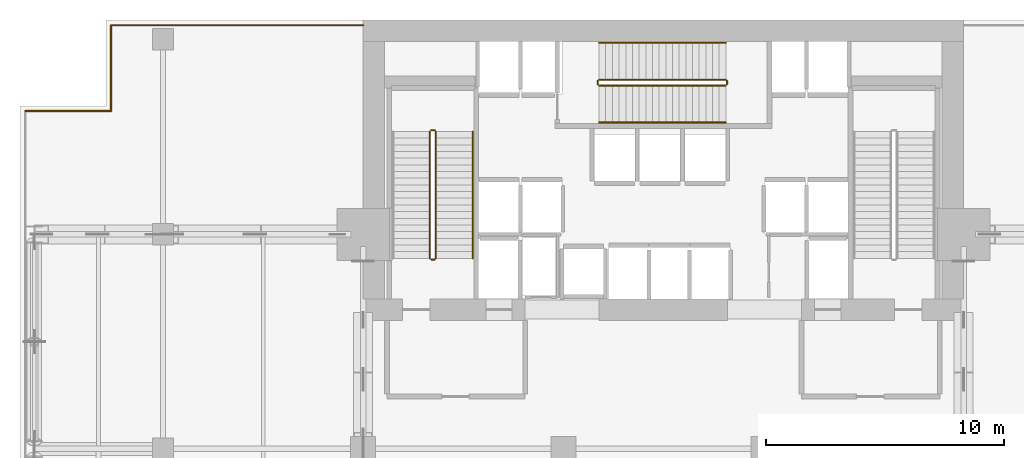
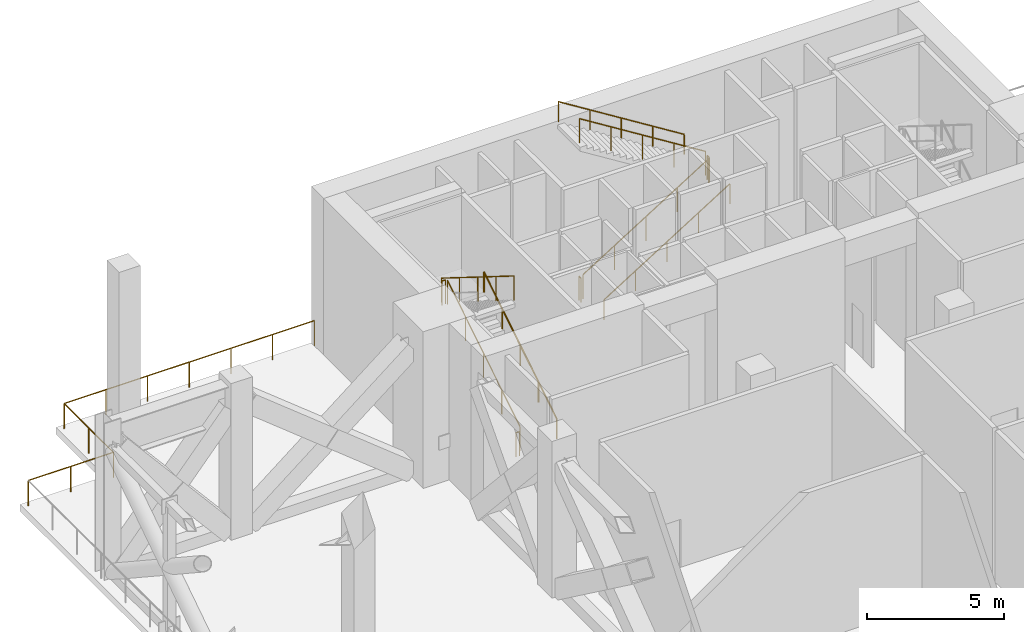
# One storey, part 15 of 16: 14 railings.
"""IFC4 building model written with IfcOpenShell, lengths in metres."""

from ifc_helpers import new_model, si_unit, direction, frame, origin, origin_2d, place, context, subcontext, project, spatial, circle, extrude, material, type_object, element, save


model = new_model("IFC4")

# Units and contexts
model_context = context("Model", 3, precision=1e-05, world=origin(), true_north=direction((0.0, 1.0)))
body_context = subcontext(model_context, "Body", "Model", "MODEL_VIEW")
ifc_project = project(units=[si_unit("LENGTHUNIT", "METRE"), si_unit("AREAUNIT", "SQUARE_METRE"), si_unit("VOLUMEUNIT", "CUBIC_METRE"), si_unit("PLANEANGLEUNIT", "RADIAN"), si_unit("MASSUNIT", "GRAM", prefix="KILO")], contexts=[model_context])

# Site, building, storey
site_placement = place(None, origin())
site = spatial("IfcSite", under=ifc_project, at=site_placement, CompositionType="ELEMENT")
building_placement = place(site_placement, origin())
building = spatial("IfcBuilding", under=site, at=building_placement, Name="Maruvema Waterfront Hotel and Observation Tower", CompositionType="ELEMENT")
storey_placement = place(building_placement, frame((0.0, 0.0, 115.5)))
storey = spatial("IfcBuildingStorey", under=building, at=storey_placement, Name="L28", CompositionType="ELEMENT", Elevation=115.5)

# Railings
ifc_material_1 = material(Name="Brushed stainless steel Grade 316", Category="steel")
railing_type_1 = type_object("IfcRailingType", Name="Ramp Continuous Wall Handrail 920 mm", PredefinedType="HANDRAIL", material=ifc_material_1)
railing_1_placement = place(storey_placement, frame((29.800048828125, 44.0, 0.175048828125)))
element("IfcRailing", 1, at=railing_1_placement, inside=storey, type_object=railing_type_1, Name="L28 ST-01 stair handrail 1", PredefinedType="HANDRAIL", context=body_context, shape_type="SweptSolid", body=[
    extrude(circle(Radius=0.02392578125, at=origin_2d()), frame((0.0, 0.0, 0.89599609375), z_axis=(0.0, 0.848004862711, 0.52998844593), x_axis=(-1.0, 0.0, 0.0)), (0.0, 0.0, 1.0), 6.273681640625),
    extrude(circle(Radius=0.02099609375, at=origin_2d()), origin(), (0.0, 0.0, 1.0), 0.871826171875),
    extrude(circle(Radius=0.02099609375, at=origin_2d()), frame((0.0, 1.330078125, 0.831298828125)), (0.0, 0.0, 1.0), 0.871826171875),
    extrude(circle(Radius=0.02099609375, at=origin_2d()), frame((0.0, 2.66015625, 1.66259765625)), (0.0, 0.0, 1.0), 0.871826171875),
    extrude(circle(Radius=0.02099609375, at=origin_2d()), frame((0.0, 3.989990234375, 2.49365234375)), (0.0, 0.0, 1.0), 0.871826171875),
    extrude(circle(Radius=0.02099609375, at=origin_2d()), frame((0.0, 5.320068359375, 3.324951171875)), (0.0, 0.0, 1.0), 0.871826171875),
])
railing_2_placement = place(storey_placement, frame((35.10009765625, 49.699951171875, 0.175048828125)))
element("IfcRailing", 2, at=railing_2_placement, inside=storey, type_object=railing_type_1, Name="L28 ST-02 stair handrail 1", PredefinedType="HANDRAIL", context=body_context, shape_type="SweptSolid", body=[
    extrude(circle(Radius=0.02392578125, at=origin_2d()), frame((0.0, 0.0, 0.89599609375), z_axis=(0.847993931318, 0.0, 0.530005936238), x_axis=(0.0, 1.0, 0.0)), (0.0, 0.0, 1.0), 6.2734375),
    extrude(circle(Radius=0.02099609375, at=origin_2d()), origin(), (0.0, 0.0, 1.0), 0.871826171875),
    extrude(circle(Radius=0.02099609375, at=origin_2d()), frame((1.330078125, 0.0, 0.831298828125)), (0.0, 0.0, 1.0), 0.871826171875),
    extrude(circle(Radius=0.02099609375, at=origin_2d()), frame((2.659912109375, 0.0, 1.66259765625)), (0.0, 0.0, 1.0), 0.871826171875),
    extrude(circle(Radius=0.02099609375, at=origin_2d()), frame((3.98974609375, 0.0, 2.49365234375)), (0.0, 0.0, 1.0), 0.871826171875),
    extrude(circle(Radius=0.02099609375, at=origin_2d()), frame((5.31982421875, 0.0, 3.324951171875)), (0.0, 0.0, 1.0), 0.871826171875),
])
railing_3_placement = place(storey_placement, frame((40.419921875, 53.050048828125, 3.675048828125)))
element("IfcRailing", 3, at=railing_3_placement, inside=storey, type_object=railing_type_1, Name="L28 ST-02 stair handrail 2", PredefinedType="HANDRAIL", context=body_context, shape_type="SweptSolid", body=[
    extrude(circle(Radius=0.02392578125, at=origin_2d()), frame((0.0, 0.0, 0.89599609375), z_axis=(-0.847993931318, 0.0, 0.530005936238), x_axis=(0.0, -1.0, 0.0)), (0.0, 0.0, 1.0), 6.2734375),
    extrude(circle(Radius=0.02099609375, at=origin_2d()), origin(), (0.0, 0.0, 1.0), 0.871826171875),
    extrude(circle(Radius=0.02099609375, at=origin_2d()), frame((-1.330078125, 0.0, 0.831298828125)), (0.0, 0.0, 1.0), 0.871826171875),
    extrude(circle(Radius=0.02099609375, at=origin_2d()), frame((-2.659912109375, 0.0, 1.66259765625)), (0.0, 0.0, 1.0), 0.871826171875),
    extrude(circle(Radius=0.02099609375, at=origin_2d()), frame((-3.98974609375, 0.0, 2.49365234375)), (0.0, 0.0, 1.0), 0.871826171875),
    extrude(circle(Radius=0.02099609375, at=origin_2d()), frame((-5.31982421875, 0.0, 3.324951171875)), (0.0, 0.0, 1.0), 0.871826171875),
])
ifc_material_2 = material(Name="Brushed stainless steel Grade 316", Category="steel")
railing_type_2 = type_object("IfcRailingType", Name="Ramp and Terrace Guard Balustrade 1100 mm", PredefinedType="BALUSTRADE", material=ifc_material_2)
railing_4_placement = place(storey_placement, frame((28.25, 44.0, 0.175048828125)))
element("IfcRailing", 4, at=railing_4_placement, inside=storey, type_object=railing_type_2, Name="L28 ST-01 stair guard 1", PredefinedType="BALUSTRADE", context=body_context, shape_type="SweptSolid", body=[
    extrude(circle(Radius=0.02392578125, at=origin_2d()), frame((0.0, 0.0, 1.076171875), z_axis=(0.0, 0.848004862711, 0.52998844593), x_axis=(-1.0, 0.0, 0.0)), (0.0, 0.0, 1.0), 6.273681640625),
    extrude(circle(Radius=0.02099609375, at=origin_2d()), origin(), (0.0, 0.0, 1.0), 1.052001953125),
    extrude(circle(Radius=0.02099609375, at=origin_2d()), frame((0.0, 1.330078125, 0.831298828125)), (0.0, 0.0, 1.0), 1.052001953125),
    extrude(circle(Radius=0.02099609375, at=origin_2d()), frame((0.0, 2.66015625, 1.66259765625)), (0.0, 0.0, 1.0), 1.052001953125),
    extrude(circle(Radius=0.02099609375, at=origin_2d()), frame((0.0, 3.989990234375, 2.49365234375)), (0.0, 0.0, 1.0), 1.052001953125),
    extrude(circle(Radius=0.02099609375, at=origin_2d()), frame((0.0, 5.320068359375, 3.324951171875)), (0.0, 0.0, 1.0), 1.052001953125),
])
railing_5_placement = place(storey_placement, frame((28.199951171875, 49.3701171875, 3.5)))
element("IfcRailing", 5, at=railing_5_placement, inside=storey, type_object=railing_type_2, Name="L28 ST-01 stair guard 2", PredefinedType="BALUSTRADE", context=body_context, shape_type="SweptSolid", body=[
    extrude(circle(Radius=0.02392578125, at=origin_2d()), frame((0.0, 0.0, 1.076171875), z_axis=(-1.0, 0.0, 0.0), x_axis=(0.0, -1.0, 0.0)), (0.0, 0.0, 1.0), 0.14990234375),
    extrude(circle(Radius=0.02099609375, at=origin_2d()), origin(), (0.0, 0.0, 1.0), 1.052001953125),
    extrude(circle(Radius=0.02099609375, at=origin_2d()), frame((-0.14990234375, 0.0, 0.0)), (0.0, 0.0, 1.0), 1.052001953125),
])
railing_6_placement = place(storey_placement, frame((28.0, 49.320068359375, 3.675048828125)))
element("IfcRailing", 6, at=railing_6_placement, inside=storey, type_object=railing_type_2, Name="L28 ST-01 stair guard 3", PredefinedType="BALUSTRADE", context=body_context, shape_type="SweptSolid", body=[
    extrude(circle(Radius=0.02392578125, at=origin_2d()), frame((0.0, 0.0, 1.076171875), z_axis=(0.0, -0.848004862711, 0.52998844593), x_axis=(1.0, 0.0, 0.0)), (0.0, 0.0, 1.0), 6.273681640625),
    extrude(circle(Radius=0.02099609375, at=origin_2d()), origin(), (0.0, 0.0, 1.0), 1.052001953125),
    extrude(circle(Radius=0.02099609375, at=origin_2d()), frame((0.0, -1.330078125, 0.831298828125)), (0.0, 0.0, 1.0), 1.052001953125),
    extrude(circle(Radius=0.02099609375, at=origin_2d()), frame((0.0, -2.66015625, 1.66259765625)), (0.0, 0.0, 1.0), 1.052001953125),
    extrude(circle(Radius=0.02099609375, at=origin_2d()), frame((0.0, -3.989990234375, 2.49365234375)), (0.0, 0.0, 1.0), 1.052001953125),
    extrude(circle(Radius=0.02099609375, at=origin_2d()), frame((0.0, -5.320068359375, 3.324951171875)), (0.0, 0.0, 1.0), 1.052001953125),
])
railing_7_placement = place(storey_placement, frame((28.199951171875, 43.949951171875, 0.0)))
element("IfcRailing", 7, at=railing_7_placement, inside=storey, type_object=railing_type_2, Name="L28 ST-01 stair guard 4", PredefinedType="BALUSTRADE", context=body_context, shape_type="SweptSolid", body=[
    extrude(circle(Radius=0.02392578125, at=origin_2d()), frame((0.0, 0.0, 1.076171875), z_axis=(-1.0, 0.0, 0.0), x_axis=(0.0, -1.0, 0.0)), (0.0, 0.0, 1.0), 0.14990234375),
    extrude(circle(Radius=0.02099609375, at=origin_2d()), origin(), (0.0, 0.0, 1.0), 1.052001953125),
    extrude(circle(Radius=0.02099609375, at=origin_2d()), frame((-0.14990234375, 0.0, 0.0)), (0.0, 0.0, 1.0), 1.052001953125),
])
railing_8_placement = place(storey_placement, frame((35.10009765625, 51.25, 0.175048828125)))
element("IfcRailing", 8, at=railing_8_placement, inside=storey, type_object=railing_type_2, Name="L28 ST-02 stair guard 1", PredefinedType="BALUSTRADE", context=body_context, shape_type="SweptSolid", body=[
    extrude(circle(Radius=0.02392578125, at=origin_2d()), frame((0.0, 0.0, 1.076171875), z_axis=(0.847993931318, 0.0, 0.530005936238), x_axis=(0.0, 1.0, 0.0)), (0.0, 0.0, 1.0), 6.2734375),
    extrude(circle(Radius=0.02099609375, at=origin_2d()), origin(), (0.0, 0.0, 1.0), 1.052001953125),
    extrude(circle(Radius=0.02099609375, at=origin_2d()), frame((1.330078125, 0.0, 0.831298828125)), (0.0, 0.0, 1.0), 1.052001953125),
    extrude(circle(Radius=0.02099609375, at=origin_2d()), frame((2.659912109375, 0.0, 1.66259765625)), (0.0, 0.0, 1.0), 1.052001953125),
    extrude(circle(Radius=0.02099609375, at=origin_2d()), frame((3.98974609375, 0.0, 2.49365234375)), (0.0, 0.0, 1.0), 1.052001953125),
    extrude(circle(Radius=0.02099609375, at=origin_2d()), frame((5.31982421875, 0.0, 3.324951171875)), (0.0, 0.0, 1.0), 1.052001953125),
])
railing_9_placement = place(storey_placement, frame((40.469970703125, 51.300048828125, 3.5)))
element("IfcRailing", 9, at=railing_9_placement, inside=storey, type_object=railing_type_2, Name="L28 ST-02 stair guard 2", PredefinedType="BALUSTRADE", context=body_context, shape_type="SweptSolid", body=[
    extrude(circle(Radius=0.02392578125, at=origin_2d()), frame((0.0, 0.0, 1.076171875), z_axis=(0.0, 1.0, 0.0), x_axis=(-1.0, 0.0, 0.0)), (0.0, 0.0, 1.0), 0.14990234375),
    extrude(circle(Radius=0.02099609375, at=origin_2d()), origin(), (0.0, 0.0, 1.0), 1.052001953125),
    extrude(circle(Radius=0.02099609375, at=origin_2d()), frame((0.0, 0.14990234375, 0.0)), (0.0, 0.0, 1.0), 1.052001953125),
])
railing_10_placement = place(storey_placement, frame((40.419921875, 51.5, 3.675048828125)))
element("IfcRailing", 10, at=railing_10_placement, inside=storey, type_object=railing_type_2, Name="L28 ST-02 stair guard 3", PredefinedType="BALUSTRADE", context=body_context, shape_type="SweptSolid", body=[
    extrude(circle(Radius=0.02392578125, at=origin_2d()), frame((0.0, 0.0, 1.076171875), z_axis=(-0.847993931318, 0.0, 0.530005936238), x_axis=(0.0, -1.0, 0.0)), (0.0, 0.0, 1.0), 6.2734375),
    extrude(circle(Radius=0.02099609375, at=origin_2d()), origin(), (0.0, 0.0, 1.0), 1.052001953125),
    extrude(circle(Radius=0.02099609375, at=origin_2d()), frame((-1.330078125, 0.0, 0.831298828125)), (0.0, 0.0, 1.0), 1.052001953125),
    extrude(circle(Radius=0.02099609375, at=origin_2d()), frame((-2.659912109375, 0.0, 1.66259765625)), (0.0, 0.0, 1.0), 1.052001953125),
    extrude(circle(Radius=0.02099609375, at=origin_2d()), frame((-3.98974609375, 0.0, 2.49365234375)), (0.0, 0.0, 1.0), 1.052001953125),
    extrude(circle(Radius=0.02099609375, at=origin_2d()), frame((-5.31982421875, 0.0, 3.324951171875)), (0.0, 0.0, 1.0), 1.052001953125),
])
railing_11_placement = place(storey_placement, frame((35.050048828125, 51.300048828125, 0.0)))
element("IfcRailing", 11, at=railing_11_placement, inside=storey, type_object=railing_type_2, Name="L28 ST-02 stair guard 4", PredefinedType="BALUSTRADE", context=body_context, shape_type="SweptSolid", body=[
    extrude(circle(Radius=0.02392578125, at=origin_2d()), frame((0.0, 0.0, 1.076171875), z_axis=(0.0, 1.0, 0.0), x_axis=(-1.0, 0.0, 0.0)), (0.0, 0.0, 1.0), 0.14990234375),
    extrude(circle(Radius=0.02099609375, at=origin_2d()), origin(), (0.0, 0.0, 1.0), 1.052001953125),
    extrude(circle(Radius=0.02099609375, at=origin_2d()), frame((0.0, 0.14990234375, 0.0)), (0.0, 0.0, 1.0), 1.052001953125),
])
ifc_material_3 = material(Name="Duplex stainless steel Grade 2205 and laminated glass", Category="steel")
railing_type_3 = type_object("IfcRailingType", Name="Wind-Floor Open Deck Safety Balustrade 1150 mm", PredefinedType="BALUSTRADE", material=ifc_material_3)
railing_12_placement = place(storey_placement, frame((11.02001953125, 50.179931640625, 0.0)))
element("IfcRailing", 12, at=railing_12_placement, inside=storey, type_object=railing_type_3, Name="L28 Perimeter Safety Balustrade 4", PredefinedType="BALUSTRADE", context=body_context, shape_type="SweptSolid", body=[
    extrude(circle(Radius=0.02392578125, at=origin_2d()), frame((0.0, 0.0, 1.1259765625), z_axis=(1.0, 0.0, 0.0), x_axis=(0.0, 1.0, 0.0)), (0.0, 0.0, 1.0), 3.60009765625),
    extrude(circle(Radius=0.02099609375, at=origin_2d()), origin(), (0.0, 0.0, 1.0), 1.101806640625),
    extrude(circle(Radius=0.02099609375, at=origin_2d()), frame((1.800048828125, 0.0, 0.0)), (0.0, 0.0, 1.0), 1.101806640625),
    extrude(circle(Radius=0.02099609375, at=origin_2d()), frame((3.60009765625, 0.0, 0.0)), (0.0, 0.0, 1.0), 1.101806640625),
])
railing_13_placement = place(storey_placement, frame((14.6201171875, 50.179931640625, 0.0)))
element("IfcRailing", 13, at=railing_13_placement, inside=storey, type_object=railing_type_3, Name="L28 Perimeter Safety Balustrade 5", PredefinedType="BALUSTRADE", context=body_context, shape_type="SweptSolid", body=[
    extrude(circle(Radius=0.02392578125, at=origin_2d()), frame((0.0, 0.0, 1.1259765625), z_axis=(0.0, 1.0, 0.0), x_axis=(-1.0, 0.0, 0.0)), (0.0, 0.0, 1.0), 3.60009765625),
    extrude(circle(Radius=0.02099609375, at=origin_2d()), origin(), (0.0, 0.0, 1.0), 1.101806640625),
    extrude(circle(Radius=0.02099609375, at=origin_2d()), frame((0.0, 1.800048828125, 0.0)), (0.0, 0.0, 1.0), 1.101806640625),
    extrude(circle(Radius=0.02099609375, at=origin_2d()), frame((0.0, 3.60009765625, 0.0)), (0.0, 0.0, 1.0), 1.101806640625),
])
railing_14_placement = place(storey_placement, frame((14.6201171875, 53.780029296875, 0.0)))
element("IfcRailing", 14, at=railing_14_placement, inside=storey, type_object=railing_type_3, Name="L28 Perimeter Safety Balustrade 6", PredefinedType="BALUSTRADE", context=body_context, shape_type="SweptSolid", body=[
    extrude(circle(Radius=0.02392578125, at=origin_2d()), frame((0.0, 0.0, 1.1259765625), z_axis=(1.0, 0.0, 0.0), x_axis=(0.0, 1.0, 0.0)), (0.0, 0.0, 1.0), 10.579833984375),
    extrude(circle(Radius=0.02099609375, at=origin_2d()), origin(), (0.0, 0.0, 1.0), 1.101806640625),
    extrude(circle(Radius=0.02099609375, at=origin_2d()), frame((1.76318359375, 0.0, 0.0)), (0.0, 0.0, 1.0), 1.101806640625),
    extrude(circle(Radius=0.02099609375, at=origin_2d()), frame((3.526611328125, 0.0, 0.0)), (0.0, 0.0, 1.0), 1.101806640625),
    extrude(circle(Radius=0.02099609375, at=origin_2d()), frame((5.2900390625, 0.0, 0.0)), (0.0, 0.0, 1.0), 1.101806640625),
    extrude(circle(Radius=0.02099609375, at=origin_2d()), frame((7.05322265625, 0.0, 0.0)), (0.0, 0.0, 1.0), 1.101806640625),
    extrude(circle(Radius=0.02099609375, at=origin_2d()), frame((8.81640625, 0.0, 0.0)), (0.0, 0.0, 1.0), 1.101806640625),
    extrude(circle(Radius=0.02099609375, at=origin_2d()), frame((10.579833984375, 0.0, 0.0)), (0.0, 0.0, 1.0), 1.101806640625),
])

save(model, "model.ifc")
